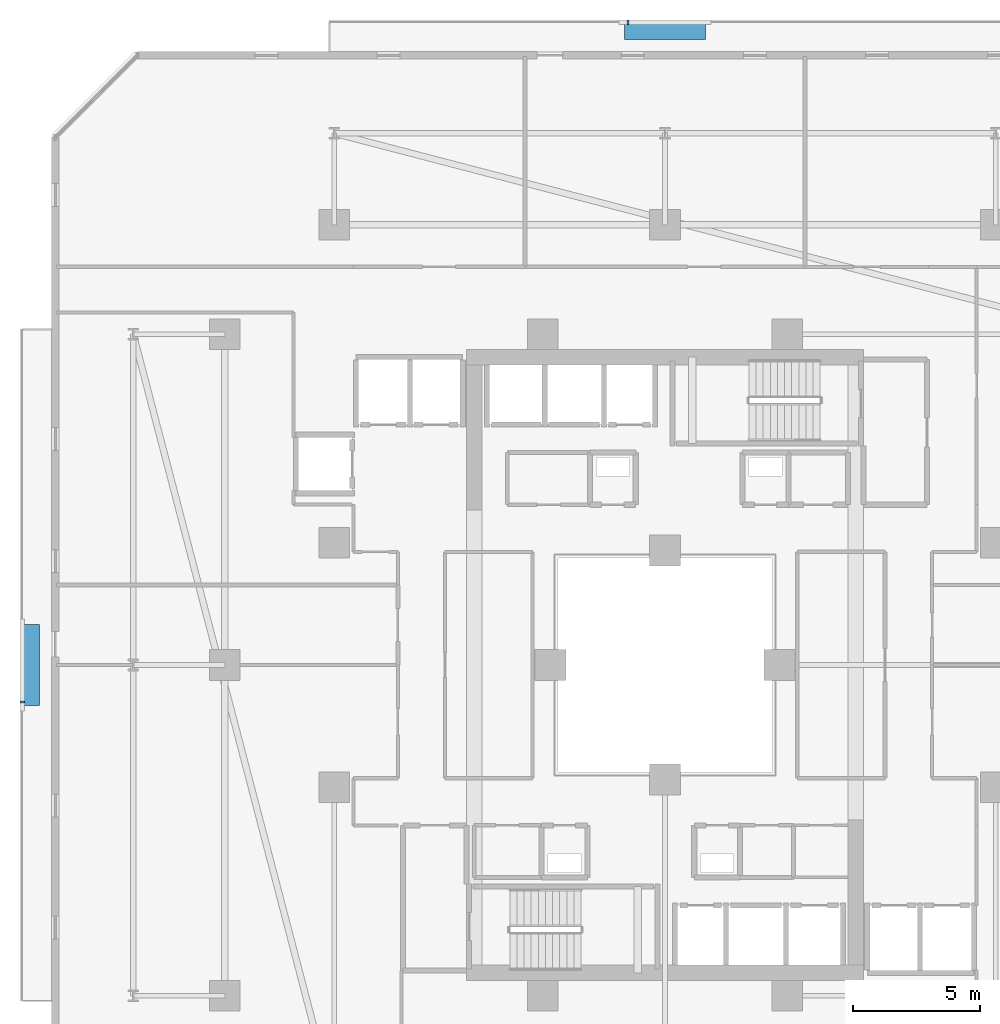
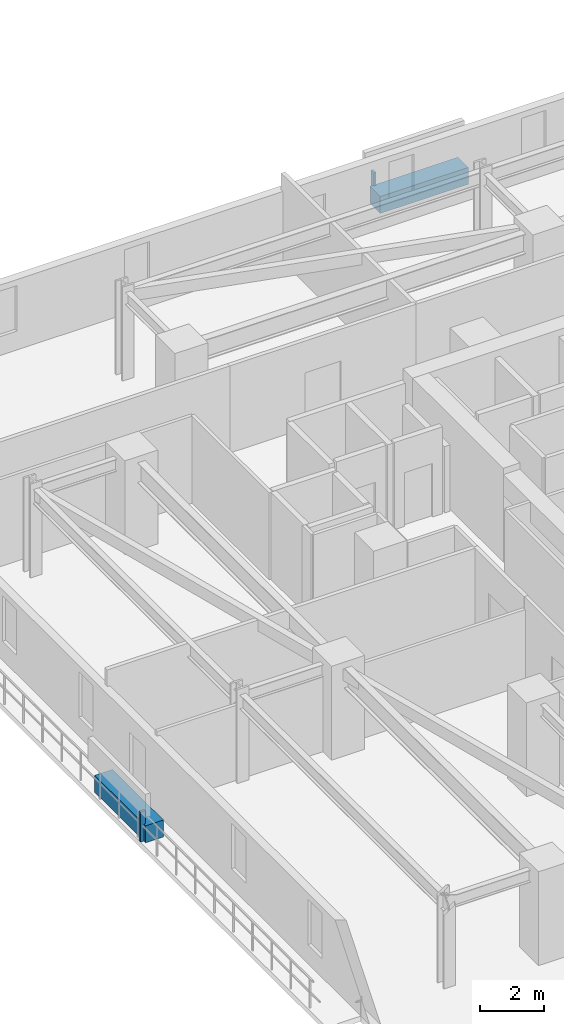
# One storey, part 28 of 33: 4 discrete accessories.
"""IFC4 building model written with IfcOpenShell, lengths in metres."""

from ifc_helpers import new_model, si_unit, direction, frame, origin, origin_2d, place, context, subcontext, project, spatial, rectangle, extrude, material, type_object, element, save


model = new_model("IFC4")

# Units and contexts
model_context = context("Model", 3, precision=1e-05, world=origin(), true_north=direction((0.0, 1.0)))
body_context = subcontext(model_context, "Body", "Model", "MODEL_VIEW")
ifc_project = project(units=[si_unit("LENGTHUNIT", "METRE"), si_unit("AREAUNIT", "SQUARE_METRE"), si_unit("VOLUMEUNIT", "CUBIC_METRE"), si_unit("PLANEANGLEUNIT", "RADIAN"), si_unit("MASSUNIT", "GRAM", prefix="KILO")], contexts=[model_context])

# Site, building, storey
site_placement = place(None, origin())
site = spatial("IfcSite", under=ifc_project, at=site_placement, CompositionType="ELEMENT")
building_placement = place(site_placement, origin())
building = spatial("IfcBuilding", under=site, at=building_placement, Name="Thornwick Lancets Civic Towers", CompositionType="ELEMENT")
storey_placement = place(building_placement, frame((0.0, 0.0, 108.89990234375)))
storey = spatial("IfcBuildingStorey", under=building, at=storey_placement, Name="L28", CompositionType="ELEMENT", Elevation=108.89990234375)

# Discrete accessories
ifc_material_1 = material(Name="Planted terracotta greenery planter", Category="masonry")
discrete_accessory_type_1 = type_object("IfcDiscreteAccessoryType", Name="ACC_PLANTER_BOX", PredefinedType="USERDEFINED", material=ifc_material_1)
discrete_accessory_1_placement = place(storey_placement, frame((25.5, 51.89990234375, 0.000244140625), z_axis=(0.0, 0.0, 1.0), x_axis=(1.0, 0.0, 0.0)))
element("IfcDiscreteAccessory", 1, at=discrete_accessory_1_placement, inside=storey, type_object=discrete_accessory_type_1, Name="L28 Tower A Balcony Greenery Planter N", ObjectType="PLANTER", PredefinedType="USERDEFINED", context=body_context, shape_type="SweptSolid", body=[
    extrude(rectangle(XDim=3.199951171875, YDim=0.64990234375, at=origin_2d()), origin(), (0.0, 0.0, 1.0), 0.64990234375),
])
discrete_accessory_2_placement = place(storey_placement, frame((0.60009765625, 27.0, 0.000244140625), z_axis=(0.0, 0.0, 1.0), x_axis=(1.0, 0.0, 0.0)))
element("IfcDiscreteAccessory", 2, at=discrete_accessory_2_placement, inside=storey, type_object=discrete_accessory_type_1, Name="L28 Tower A Balcony Greenery Planter W", ObjectType="PLANTER", PredefinedType="USERDEFINED", context=body_context, shape_type="SweptSolid", body=[
    extrude(rectangle(XDim=0.64990234375, YDim=3.199951171875, at=origin_2d()), origin(), (0.0, 0.0, 1.0), 0.64990234375),
])
ifc_material_2 = material(Name="Stainless steel S355", Category="steel")
discrete_accessory_type_2 = type_object("IfcDiscreteAccessoryType", Name="ACC_SCREEN_BRACKET", PredefinedType="BRACKET", material=ifc_material_2)
for number, where, z_axis, x_axis, name in (
    (3, (24.050048828125, 52.260009765625, 0.000244140625), (0.0, 0.0, 1.0), (1.0, 0.0, 0.0), "L28 Tower A Balcony Screen Stanchion Bracket N-1"),
    (4, (0.239990234375, 25.550048828125, 0.000244140625), (0.0, 0.0, 1.0), (0.0, 1.0, 0.0), "L28 Tower A Balcony Screen Stanchion Bracket W-1"),
):
    element("IfcDiscreteAccessory", number, at=place(storey_placement, frame(where, z_axis=z_axis, x_axis=x_axis)), inside=storey, type_object=discrete_accessory_type_2, Name=name, PredefinedType="BRACKET", context=body_context, shape_type="SweptSolid", body=[
        extrude(rectangle(XDim=0.080078125, YDim=0.179931640625, at=origin_2d()), origin(), (0.0, 0.0, 1.0), 1.14990234375),
    ])

save(model, "model.ifc")
